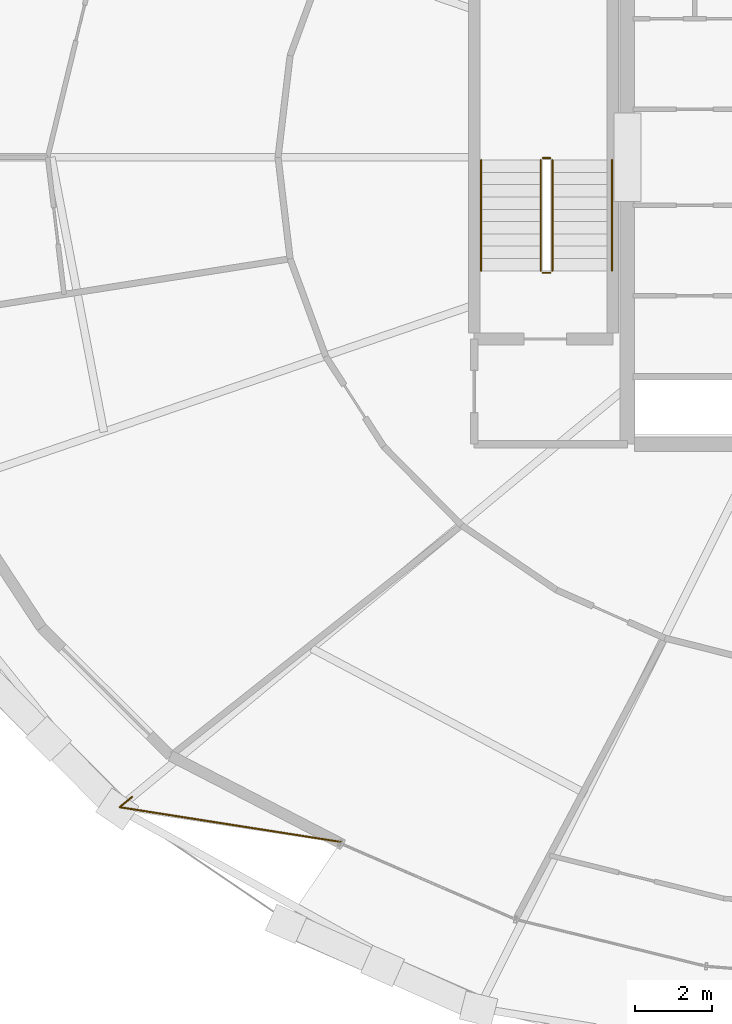
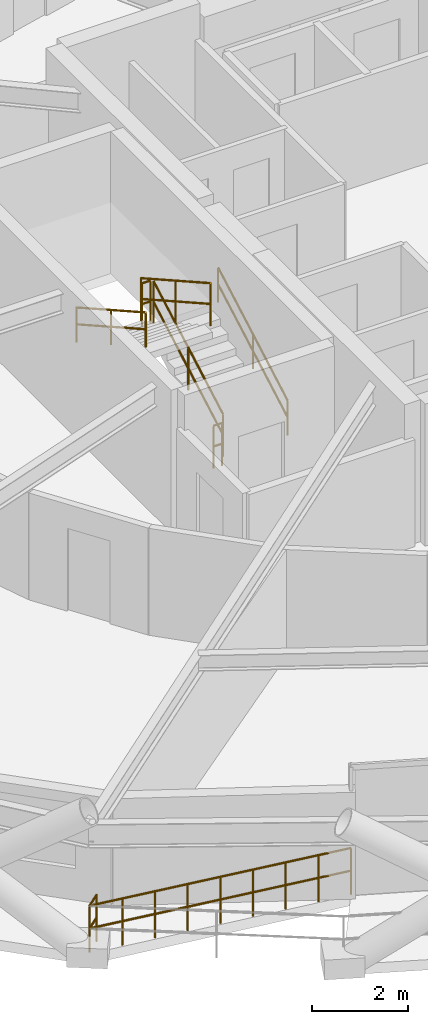
# One storey, part 19 of 21: 7 railings.
"""IFC4 building model written with IfcOpenShell, lengths in metres."""

import ifcopenshell
import ifcopenshell.guid

model = None  # the IFC model being written
_history = None  # IfcOwnerHistory: only IFC2X3 demands one
_inside = {}  # id of a spatial element -> (the spatial element, [elements in it])
_under = {}  # id of a project, library or spatial element -> (it, [spatial elements below it])
_declared = {}  # id of a project -> (the project, [libraries it declares])
_typed = {}  # id of a type object -> (the type object, [elements of that type])
_made_of = {}  # id of a material, layer set ... -> (it, [elements and type objects made of it])


def new_model(schema):
    """Start an empty IFC model of exactly this schema.

    Asked for "IFC4X3", IfcOpenShell would pick the latest addendum, in which some entities
    have other attributes; the version numbers below select the first issue.
    IFC2X3 requires an IfcOwnerHistory on every rooted entity: one is made here for all.
    """
    global model, _history
    if schema == "IFC4X3":
        model = ifcopenshell.file(schema_version=(4, 3, 0, 0))
    else:
        model = ifcopenshell.file(schema=schema)
    _inside.clear()
    _under.clear()
    _declared.clear()
    _typed.clear()
    _made_of.clear()
    _history = None
    if model.schema == "IFC2X3":
        org = make("IfcOrganization", Name="unknown")
        user = make(
            "IfcPersonAndOrganization",
            ThePerson=make("IfcPerson", FamilyName="unknown"),
            TheOrganization=org,
        )
        app = make(
            "IfcApplication",
            ApplicationDeveloper=org,
            Version="unknown",
            ApplicationFullName="unknown",
            ApplicationIdentifier="unknown",
        )
        _history = make(
            "IfcOwnerHistory",
            OwningUser=user,
            OwningApplication=app,
            ChangeAction="ADDED",
            CreationDate=0,
        )
    return model


def make(cls, **values):
    """One entity of the class cls with the attributes given. An attribute that is None is left unset."""
    return model.create_entity(
        cls, **{name: value for name, value in values.items() if value is not None}
    )


def rooted(cls, **values):
    """An entity with a GlobalId (a new one), such as an element, a storey or a relation."""
    return make(cls, GlobalId=ifcopenshell.guid.new(), OwnerHistory=_history, **values)


def si_unit(unit_type, name, prefix=None):
    """IfcSIUnit, for example si_unit("LENGTHUNIT", "METRE", prefix="MILLI")."""
    return make("IfcSIUnit", UnitType=unit_type, Prefix=prefix, Name=name)


def assignment(units):
    """IfcUnitAssignment: the units of a project."""
    return None if units is None else make("IfcUnitAssignment", Units=units)


def point(xyz):
    """IfcCartesianPoint."""
    return None if xyz is None else make("IfcCartesianPoint", Coordinates=xyz)


def direction(xyz):
    """IfcDirection."""
    return None if xyz is None else make("IfcDirection", DirectionRatios=xyz)


def frame(location, z_axis=None, x_axis=None):
    """IfcAxis2Placement3D, a coordinate frame: its origin and axes. An axis left out is left unset."""
    return make(
        "IfcAxis2Placement3D",
        Location=point(location),
        Axis=direction(z_axis),
        RefDirection=direction(x_axis),
    )


def frame_2d(location, x_axis=None):
    """IfcAxis2Placement2D, a coordinate frame in the plane: its origin and x axis."""
    return make(
        "IfcAxis2Placement2D", Location=point(location), RefDirection=direction(x_axis)
    )


def origin():
    """The frame at (0, 0, 0) with its axes left unset."""
    return frame((0.0, 0.0, 0.0))


def origin_2d():
    """The frame at (0, 0) in the plane with its x axis left unset."""
    return frame_2d((0.0, 0.0))


def place(relative_to, where):
    """IfcLocalPlacement: puts the frame where relative to a parent placement (None: the world)."""
    return make(
        "IfcLocalPlacement", PlacementRelTo=relative_to, RelativePlacement=where
    )


def context(
    kind, dimensions, precision=None, world=None, true_north=None, identifier=None
):
    """IfcGeometricRepresentationContext, for example the 3D "Model" context."""
    return make(
        "IfcGeometricRepresentationContext",
        ContextIdentifier=identifier,
        ContextType=kind,
        CoordinateSpaceDimension=dimensions,
        Precision=precision,
        WorldCoordinateSystem=world,
        TrueNorth=true_north,
    )


def subcontext(parent, identifier, kind, view, scale=None):
    """IfcGeometricRepresentationSubContext, for example "Body" below "Model"."""
    return make(
        "IfcGeometricRepresentationSubContext",
        ContextIdentifier=identifier,
        ContextType=kind,
        ParentContext=parent,
        TargetScale=scale,
        TargetView=view,
    )


def project(units=None, contexts=None):
    """IfcProject with its units and contexts."""
    return rooted(
        "IfcProject",
        Name="project",
        RepresentationContexts=contexts,
        UnitsInContext=assignment(units),
    )


def spatial(cls, under=None, at=None, **own):
    """A site, building, storey or space (cls), placed at a placement, below another one or the project."""
    s = rooted(cls, ObjectPlacement=at, **own)
    if under is not None:
        _under.setdefault(under.id(), (under, []))[1].append(s)
    return s


def profile(cls, at=None, kind="AREA", **sizes):
    """A parametric profile (cls). Its sizes go by their IFC names, for example OverallWidth=200.0."""
    return make(cls, ProfileType=kind, Position=at, **sizes)


def circle(**sizes):
    """IfcCircleProfileDef."""
    return profile("IfcCircleProfileDef", **sizes)


def extrude(swept, where, along, depth):
    """IfcExtrudedAreaSolid: the profile swept, set in the frame where, extruded along a direction by depth."""
    return make(
        "IfcExtrudedAreaSolid",
        SweptArea=swept,
        Position=where,
        ExtrudedDirection=direction(along),
        Depth=depth,
    )


def shape(context_of_items, identifier, shape_type, items):
    """IfcShapeRepresentation: the items that make up one representation, for example the "Body"."""
    return make(
        "IfcShapeRepresentation",
        ContextOfItems=context_of_items,
        RepresentationIdentifier=identifier,
        RepresentationType=shape_type,
        Items=items,
    )


def material(Name=None, Category=None):
    """IfcMaterial."""
    return make("IfcMaterial", Name=Name, Category=Category)


def made_of(thing, what):
    """Note that an element or type object is made of a material, layer set ...; save() writes the relation."""
    if what is not None:
        _made_of.setdefault(what.id(), (what, []))[1].append(thing)
    return thing


def type_object(cls, material=None, **own):
    """A type object (cls), such as IfcWallType, which elements share."""
    return made_of(rooted(cls, **own), material)


def element(
    cls,
    number,
    at=None,
    inside=None,
    cuts=None,
    type_object=None,
    material=None,
    context=None,
    identifier="Body",
    shape_type=None,
    held_by="IfcProductDefinitionShape",
    body=None,
    shapes=None,
    **own,
):
    """One element of the class cls, such as IfcWall. Its Tag is "e" and its number.

    at: its placement. inside: the storey or other place that contains it. cuts: it is an
    opening in that element (IfcRelVoidsElement). A single representation is given by context,
    identifier, shape_type and body (its items); several are given by shapes. held_by: the class
    of the entity that holds the representations. save() writes the other relations.
    """
    e = rooted(cls, Tag="e%d" % number, ObjectPlacement=at, **own)
    if body is not None:
        shapes = [shape(context, identifier, shape_type, body)]
    if shapes is not None:
        e.Representation = make(held_by, Representations=shapes)
    if inside is not None:
        _inside.setdefault(inside.id(), (inside, []))[1].append(e)
    if cuts is not None:
        rooted(
            "IfcRelVoidsElement", RelatingBuildingElement=cuts, RelatedOpeningElement=e
        )
    if type_object is not None:
        _typed.setdefault(type_object.id(), (type_object, []))[1].append(e)
    return made_of(e, material)


def aggregate(whole, parts):
    """IfcRelAggregates: a whole, such as a stair, and the parts it consists of."""
    return rooted("IfcRelAggregates", RelatingObject=whole, RelatedObjects=parts)


def save(model, path):
    """Write the relations noted so far, then the file.

    IfcRelAggregates (storeys below a building ...), IfcRelContainedInSpatialStructure (elements
    in a storey), IfcRelDefinesByType, IfcRelAssociatesMaterial and IfcRelDeclares: one each for
    every whole, place, type object, material and project.
    """
    for whole, parts in _under.values():
        aggregate(whole, parts)
    for where, things in _inside.values():
        rooted(
            "IfcRelContainedInSpatialStructure",
            RelatedElements=things,
            RelatingStructure=where,
        )
    for kind, things in _typed.values():
        rooted("IfcRelDefinesByType", RelatedObjects=things, RelatingType=kind)
    for what, things in _made_of.values():
        rooted("IfcRelAssociatesMaterial", RelatedObjects=things, RelatingMaterial=what)
    for by, libraries in _declared.values():
        rooted("IfcRelDeclares", RelatingContext=by, RelatedDefinitions=libraries)
    model.write(path)


model = new_model("IFC4")

# Units and contexts
model_context = context("Model", 3, precision=1e-05, world=origin(), true_north=direction((0.0, 1.0)))
body_context = subcontext(model_context, "Body", "Model", "MODEL_VIEW")
ifc_project = project(units=[si_unit("LENGTHUNIT", "METRE"), si_unit("AREAUNIT", "SQUARE_METRE"), si_unit("VOLUMEUNIT", "CUBIC_METRE"), si_unit("PLANEANGLEUNIT", "RADIAN"), si_unit("MASSUNIT", "GRAM", prefix="KILO")], contexts=[model_context])

# Site, building, storey
site_placement = place(None, origin())
site = spatial("IfcSite", under=ifc_project, at=site_placement, CompositionType="ELEMENT")
building_placement = place(site_placement, origin())
building = spatial("IfcBuilding", under=site, at=building_placement, Name="Veldorina Hangang Commons", CompositionType="ELEMENT")
storey_placement = place(building_placement, frame((0.0, 0.0, 91.60009765625)))
storey = spatial("IfcBuildingStorey", under=building, at=storey_placement, Name="L23", CompositionType="ELEMENT", Elevation=91.60009765625)

# Railings
ifc_material_1 = material(Name="Glass Laminated Safety Balustrade", Category="glass")
railing_type_1 = type_object("IfcRailingType", Name="RL-BAL-LOGGIA", PredefinedType="BALUSTRADE", material=ifc_material_1)
railing_1_placement = place(storey_placement, frame((11.9345703125, 7.38720703125, 0.0)))
element("IfcRailing", 1, at=railing_1_placement, inside=storey, type_object=railing_type_1, Name="L23 sky-garden loggia end balustrade A", PredefinedType="BALUSTRADE", context=body_context, shape_type="SweptSolid", body=[
    extrude(circle(Radius=0.02392578125, at=origin_2d()), frame((0.0, 0.0, 1.17578125), z_axis=(-0.770266305659, -0.63772236778, 0.0), x_axis=(0.63772236778, -0.770266305659, 0.0)), (0.0, 0.0, 1.0), 0.419921875),
    extrude(circle(Radius=0.02392578125, at=origin_2d()), frame((0.0, 0.0, 0.60009765625), z_axis=(-0.770266305659, -0.63772236778, 0.0), x_axis=(0.63772236778, -0.770266305659, 0.0)), (0.0, 0.0, 1.0), 0.419921875),
    extrude(circle(Radius=0.02392578125, at=origin_2d()), frame((-0.323486328125, -0.267822265625, 1.17578125), z_axis=(0.987887881363, -0.155169371517, 0.0), x_axis=(0.155169371517, 0.987887881363, 0.0)), (0.0, 0.0, 1.0), 5.81689453125),
    extrude(circle(Radius=0.02392578125, at=origin_2d()), frame((-0.323486328125, -0.267822265625, 0.60009765625), z_axis=(0.987887881363, -0.155169371517, 0.0), x_axis=(0.155169371517, 0.987887881363, 0.0)), (0.0, 0.0, 1.0), 5.81689453125),
    extrude(circle(Radius=0.02099609375, at=origin_2d()), origin(), (0.0, 0.0, 1.0), 1.15185546875),
    extrude(circle(Radius=0.02099609375, at=origin_2d()), frame((-0.323486328125, -0.267822265625, 0.0)), (0.0, 0.0, 1.0), 1.15185546875),
    extrude(circle(Radius=0.02099609375, at=origin_2d()), frame((0.394775390625, -0.380615234375, 0.0)), (0.0, 0.0, 1.0), 1.15185546875),
    extrude(circle(Radius=0.02099609375, at=origin_2d()), frame((1.113037109375, -0.493408203125, 0.0)), (0.0, 0.0, 1.0), 1.15185546875),
    extrude(circle(Radius=0.02099609375, at=origin_2d()), frame((1.831298828125, -0.606201171875, 0.0)), (0.0, 0.0, 1.0), 1.15185546875),
    extrude(circle(Radius=0.02099609375, at=origin_2d()), frame((2.5498046875, -0.71923828125, 0.0)), (0.0, 0.0, 1.0), 1.15185546875),
    extrude(circle(Radius=0.02099609375, at=origin_2d()), frame((3.26806640625, -0.83203125, 0.0)), (0.0, 0.0, 1.0), 1.15185546875),
    extrude(circle(Radius=0.02099609375, at=origin_2d()), frame((3.986328125, -0.94482421875, 0.0)), (0.0, 0.0, 1.0), 1.15185546875),
    extrude(circle(Radius=0.02099609375, at=origin_2d()), frame((4.70458984375, -1.0576171875, 0.0)), (0.0, 0.0, 1.0), 1.15185546875),
    extrude(circle(Radius=0.02099609375, at=origin_2d()), frame((5.4228515625, -1.17041015625, 0.0)), (0.0, 0.0, 1.0), 1.15185546875),
])
ifc_material_2 = material(Name="Steel Painted Balustrade", Category="steel")
railing_type_2 = type_object("IfcRailingType", Name="RL-GRD-STAIR", PredefinedType="GUARDRAIL", material=ifc_material_2)
railing_2_placement = place(storey_placement, frame((22.85009765625, 21.050048828125, 0.179931640625)))
element("IfcRailing", 2, at=railing_2_placement, inside=storey, type_object=railing_type_2, Name="L23 ST-1 stair guard 1", PredefinedType="GUARDRAIL", context=body_context, shape_type="SweptSolid", body=[
    extrude(circle(Radius=0.02392578125, at=origin_2d()), frame((0.0, 0.0, 1.076171875), z_axis=(0.0, 0.871583430097, 0.490247207417), x_axis=(-1.0, 0.0, 0.0)), (0.0, 0.0, 1.0), 3.30419921875),
    extrude(circle(Radius=0.02392578125, at=origin_2d()), frame((0.0, 0.0, 0.550048828125), z_axis=(0.0, 0.871583430097, 0.490247207417), x_axis=(-1.0, 0.0, 0.0)), (0.0, 0.0, 1.0), 3.30419921875),
    extrude(circle(Radius=0.02099609375, at=origin_2d()), origin(), (0.0, 0.0, 1.0), 1.052001953125),
    extrude(circle(Radius=0.02099609375, at=origin_2d()), frame((0.0, 1.43994140625, 0.81005859375)), (0.0, 0.0, 1.0), 1.052001953125),
    extrude(circle(Radius=0.02099609375, at=origin_2d()), frame((0.0, 2.8798828125, 1.619873046875)), (0.0, 0.0, 1.0), 1.052001953125),
])
railing_3_placement = place(storey_placement, frame((22.800048828125, 23.97998046875, 1.7998046875)))
element("IfcRailing", 3, at=railing_3_placement, inside=storey, type_object=railing_type_2, Name="L23 ST-1 stair guard 2", PredefinedType="GUARDRAIL", context=body_context, shape_type="SweptSolid", body=[
    extrude(circle(Radius=0.02392578125, at=origin_2d()), frame((0.0, 0.0, 1.076171875), z_axis=(-1.0, 0.0, 0.0), x_axis=(0.0, -1.0, 0.0)), (0.0, 0.0, 1.0), 0.199951171875),
    extrude(circle(Radius=0.02392578125, at=origin_2d()), frame((0.0, 0.0, 0.550048828125), z_axis=(-1.0, 0.0, 0.0), x_axis=(0.0, -1.0, 0.0)), (0.0, 0.0, 1.0), 0.199951171875),
    extrude(circle(Radius=0.02099609375, at=origin_2d()), origin(), (0.0, 0.0, 1.0), 1.052001953125),
    extrude(circle(Radius=0.02099609375, at=origin_2d()), frame((-0.199951171875, 0.0, 0.0)), (0.0, 0.0, 1.0), 1.052001953125),
])
railing_4_placement = place(storey_placement, frame((22.550048828125, 23.929931640625, 1.97998046875)))
element("IfcRailing", 4, at=railing_4_placement, inside=storey, type_object=railing_type_2, Name="L23 ST-1 stair guard 3", PredefinedType="GUARDRAIL", context=body_context, shape_type="SweptSolid", body=[
    extrude(circle(Radius=0.02392578125, at=origin_2d()), frame((0.0, 0.0, 1.076171875), z_axis=(0.0, -0.871583430097, 0.490247207417), x_axis=(1.0, 0.0, 0.0)), (0.0, 0.0, 1.0), 3.30419921875),
    extrude(circle(Radius=0.02392578125, at=origin_2d()), frame((0.0, 0.0, 0.550048828125), z_axis=(0.0, -0.871583430097, 0.490247207417), x_axis=(1.0, 0.0, 0.0)), (0.0, 0.0, 1.0), 3.30419921875),
    extrude(circle(Radius=0.02099609375, at=origin_2d()), origin(), (0.0, 0.0, 1.0), 1.052001953125),
    extrude(circle(Radius=0.02099609375, at=origin_2d()), frame((0.0, -1.43994140625, 0.81005859375)), (0.0, 0.0, 1.0), 1.052001953125),
    extrude(circle(Radius=0.02099609375, at=origin_2d()), frame((0.0, -2.8798828125, 1.619873046875)), (0.0, 0.0, 1.0), 1.052001953125),
])
railing_5_placement = place(storey_placement, frame((22.800048828125, 21.0, 0.0)))
element("IfcRailing", 5, at=railing_5_placement, inside=storey, type_object=railing_type_2, Name="L23 ST-1 stair guard 4", PredefinedType="GUARDRAIL", context=body_context, shape_type="SweptSolid", body=[
    extrude(circle(Radius=0.02392578125, at=origin_2d()), frame((0.0, 0.0, 1.076171875), z_axis=(-1.0, 0.0, 0.0), x_axis=(0.0, -1.0, 0.0)), (0.0, 0.0, 1.0), 0.199951171875),
    extrude(circle(Radius=0.02392578125, at=origin_2d()), frame((0.0, 0.0, 0.550048828125), z_axis=(-1.0, 0.0, 0.0), x_axis=(0.0, -1.0, 0.0)), (0.0, 0.0, 1.0), 0.199951171875),
    extrude(circle(Radius=0.02099609375, at=origin_2d()), origin(), (0.0, 0.0, 1.0), 1.052001953125),
    extrude(circle(Radius=0.02099609375, at=origin_2d()), frame((-0.199951171875, 0.0, 0.0)), (0.0, 0.0, 1.0), 1.052001953125),
])
ifc_material_3 = material(Name="Stainless Steel Brushed 316", Category="steel")
railing_type_3 = type_object("IfcRailingType", Name="RL-HND-STAIR", PredefinedType="HANDRAIL", material=ifc_material_3)
railing_6_placement = place(storey_placement, frame((24.39990234375, 21.050048828125, 0.179931640625)))
element("IfcRailing", 6, at=railing_6_placement, inside=storey, type_object=railing_type_3, Name="L23 ST-1 stair handrail 1", PredefinedType="HANDRAIL", context=body_context, shape_type="SweptSolid", body=[
    extrude(circle(Radius=0.02392578125, at=origin_2d()), frame((0.0, 0.0, 0.8759765625), z_axis=(0.0, 0.871583430097, 0.490247207417), x_axis=(-1.0, 0.0, 0.0)), (0.0, 0.0, 1.0), 3.30419921875),
    extrude(circle(Radius=0.02392578125, at=origin_2d()), frame((0.0, 0.0, 0.449951171875), z_axis=(0.0, 0.871583430097, 0.490247207417), x_axis=(-1.0, 0.0, 0.0)), (0.0, 0.0, 1.0), 3.30419921875),
    extrude(circle(Radius=0.02099609375, at=origin_2d()), origin(), (0.0, 0.0, 1.0), 0.851806640625),
    extrude(circle(Radius=0.02099609375, at=origin_2d()), frame((0.0, 1.43994140625, 0.81005859375)), (0.0, 0.0, 1.0), 0.851806640625),
    extrude(circle(Radius=0.02099609375, at=origin_2d()), frame((0.0, 2.8798828125, 1.619873046875)), (0.0, 0.0, 1.0), 0.851806640625),
])
railing_7_placement = place(storey_placement, frame((21.0, 23.929931640625, 1.97998046875)))
element("IfcRailing", 7, at=railing_7_placement, inside=storey, type_object=railing_type_3, Name="L23 ST-1 stair handrail 2", PredefinedType="HANDRAIL", context=body_context, shape_type="SweptSolid", body=[
    extrude(circle(Radius=0.02392578125, at=origin_2d()), frame((0.0, 0.0, 0.8759765625), z_axis=(0.0, -0.871583430097, 0.490247207417), x_axis=(1.0, 0.0, 0.0)), (0.0, 0.0, 1.0), 3.30419921875),
    extrude(circle(Radius=0.02392578125, at=origin_2d()), frame((0.0, 0.0, 0.449951171875), z_axis=(0.0, -0.871583430097, 0.490247207417), x_axis=(1.0, 0.0, 0.0)), (0.0, 0.0, 1.0), 3.30419921875),
    extrude(circle(Radius=0.02099609375, at=origin_2d()), origin(), (0.0, 0.0, 1.0), 0.851806640625),
    extrude(circle(Radius=0.02099609375, at=origin_2d()), frame((0.0, -1.43994140625, 0.81005859375)), (0.0, 0.0, 1.0), 0.851806640625),
    extrude(circle(Radius=0.02099609375, at=origin_2d()), frame((0.0, -2.8798828125, 1.619873046875)), (0.0, 0.0, 1.0), 0.851806640625),
])

save(model, "model.ifc")
